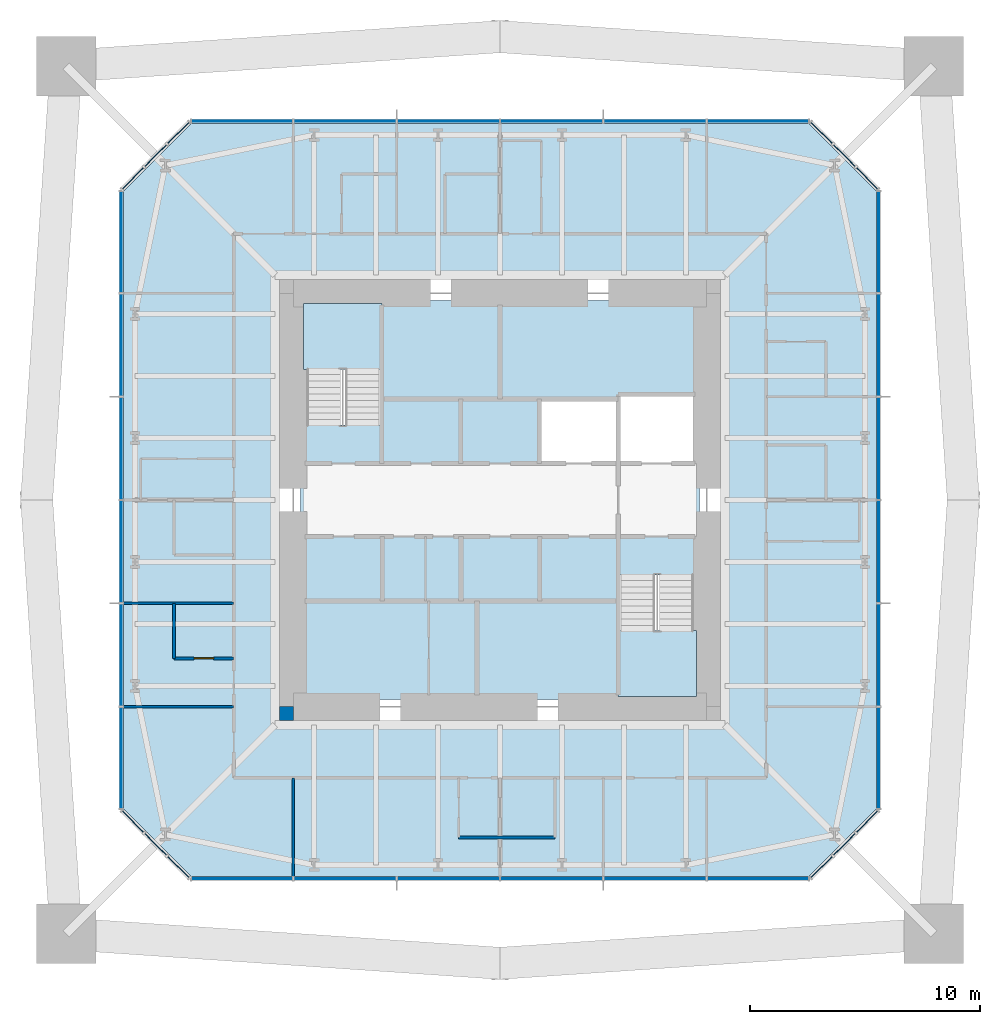
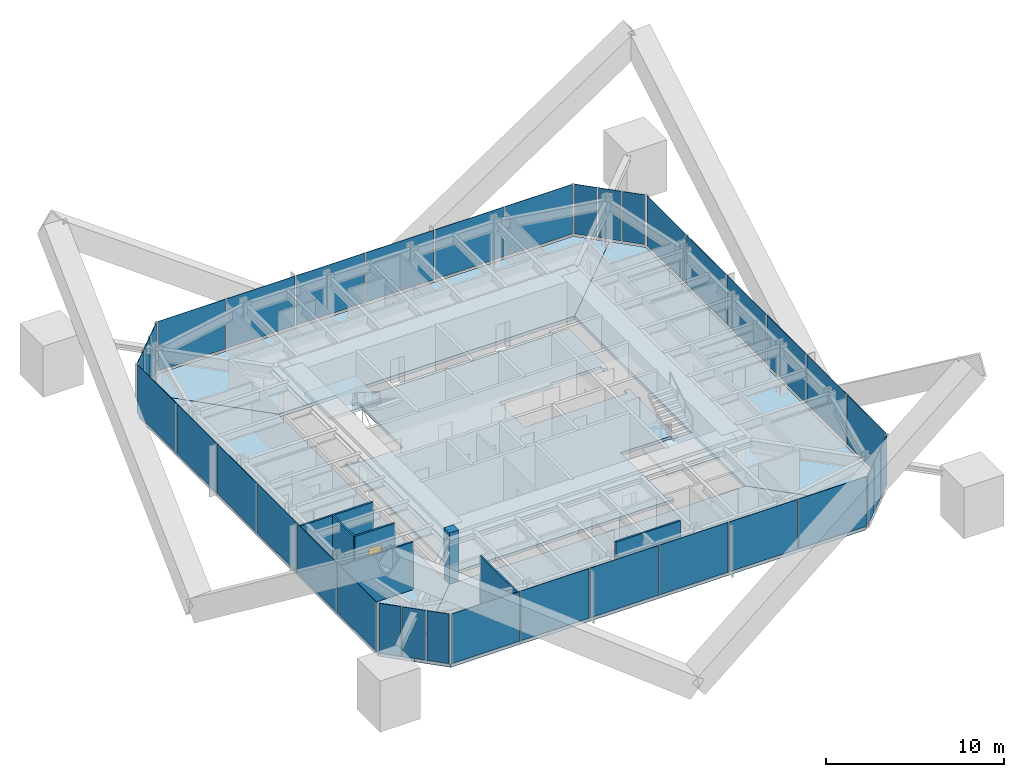
# One storey, part 7 of 11: 36 plates, 7 slabs, 7 walls, 1 door, 1 opening, 10 elements without a shape of their own.
"""IFC4 building model written with IfcOpenShell, lengths in metres."""

from ifc_helpers import new_model, si_unit, direction, frame, frame_2d, origin, origin_2d, place, context, subcontext, project, spatial, polyline, rectangle, outline, extrude, material, layer, layer_set, constituent, constituent_set, type_object, element, fill, aggregate, save


model = new_model("IFC4")

# Units and contexts
model_context = context("Model", 3, precision=1e-05, world=origin(), true_north=direction((0.0, 1.0)))
body_context = subcontext(model_context, "Body", "Model", "MODEL_VIEW")
ifc_project = project(units=[si_unit("LENGTHUNIT", "METRE"), si_unit("AREAUNIT", "SQUARE_METRE"), si_unit("VOLUMEUNIT", "CUBIC_METRE"), si_unit("PLANEANGLEUNIT", "RADIAN"), si_unit("MASSUNIT", "GRAM", prefix="KILO")], contexts=[model_context])

# Site, building, storey
site_placement = place(None, origin())
site = spatial("IfcSite", under=ifc_project, at=site_placement, CompositionType="ELEMENT")
building_placement = place(site_placement, origin())
building = spatial("IfcBuilding", under=site, at=building_placement, Name="Iwan Alto Co-Living Towers", CompositionType="ELEMENT")
storey_placement = place(building_placement, frame((0.0, 0.0, 229.0)))
storey = spatial("IfcBuildingStorey", under=building, at=storey_placement, Name="L62", CompositionType="ELEMENT", Elevation=229.0)

# Slab
ifc_material_1 = material(Name="Concrete f'c 30 MPa", Category="concrete")
ifc_layer_1 = layer(ifc_material_1, 0.199951171875)
ifc_layer_set_1 = layer_set([ifc_layer_1], Name="CORE FLOOR SLAB 200")
slab_type_1 = type_object("IfcSlabType", Name="CORE FLOOR SLAB 200", PredefinedType="FLOOR", material=ifc_layer_set_1)
slab_1_placement = place(storey_placement, frame((0.0, 0.0, -0.199951171875)))
element("IfcSlab", 1, at=slab_1_placement, inside=storey, type_object=slab_type_1, Name="T1 core floor L62", PredefinedType="FLOOR", context=body_context, shape_type="SweptSolid", body=[
    extrude(outline(polyline([(-8.699951171875, 3.580078125), (-8.39990234375, 3.580078125), (-8.39990234375, 3.27001953125), (-5.14990234375, 3.27001953125), (-5.14990234375, 8.39990234375), (-5.4599609375, 8.39990234375), (-5.4599609375, 8.699951171875), (8.699951171875, 8.699951171875), (8.699951171875, 4.2900390625), (8.39990234375, 4.2900390625), (8.39990234375, 4.60009765625), (5.14990234375, 4.60009765625), (5.14990234375, 4.39990234375), (1.717041015625, 4.39990234375), (1.717041015625, 1.60009765625), (5.14990234375, 1.60009765625), (8.39990234375, 1.60009765625), (8.39990234375, 1.909912109375), (8.699951171875, 1.909912109375), (8.699951171875, -3.580078125), (8.39990234375, -3.580078125), (8.39990234375, -3.27001953125), (5.14990234375, -3.27001953125), (5.14990234375, -8.39990234375), (5.4599609375, -8.39990234375), (5.4599609375, -8.699951171875), (-8.699951171875, -8.699951171875), (-8.699951171875, 3.580078125)])), origin(), (0.0, 0.0, 1.0), 0.199951171875),
])

# Curtain wall, plates
ifc_material_2 = material(Name="Bronze aluminium unitised frame", Category="aluminium")
curtain_wall_type_1 = type_object("IfcCurtainWallType", Name="CURTAIN WALL CW-A", PredefinedType="NOTDEFINED", material=ifc_material_2)
curtain_wall_1_placement = place(storey_placement, origin())
curtain_wall_1 = element("IfcCurtainWall", 2, at=curtain_wall_1_placement, inside=storey, type_object=curtain_wall_type_1, Name="T1 curtain wall S L62", PredefinedType="NOTDEFINED")
ifc_material_3 = material(Name="Bronze-tinted insulating glass", Category="glass")
ifc_layer_2 = layer(ifc_material_3, 0.031982421875)
ifc_layer_set_2 = layer_set([ifc_layer_2], Name="CW-A PANEL TINTED IGU 32")
plate_type_1 = type_object("IfcPlateType", Name="CW-A PANEL TINTED IGU 32", PredefinedType="CURTAIN_PANEL", material=ifc_layer_set_2)
plate_1_placement = place(storey_placement, frame((-11.22998046875, -16.5, 0.10009765625), z_axis=(0.0, 0.0, 1.0), x_axis=(1.0, 0.0, 0.0)))
plate_1 = element("IfcPlate", 3, at=plate_1_placement, type_object=plate_type_1, Name="CW-A panel 1.1", PredefinedType="CURTAIN_PANEL", context=body_context, shape_type="SweptSolid", body=[
    extrude(rectangle(XDim=4.3798828125, YDim=0.031982421875, at=origin_2d()), origin(), (0.0, 0.0, 1.0), 3.39990234375),
])
plate_2_placement = place(storey_placement, frame((-6.75, -16.5, 0.10009765625), z_axis=(0.0, 0.0, 1.0), x_axis=(1.0, 0.0, 0.0)))
plate_2 = element("IfcPlate", 4, at=plate_2_placement, type_object=plate_type_1, Name="CW-A panel 2.1", PredefinedType="CURTAIN_PANEL", context=body_context, shape_type="SweptSolid", body=[
    extrude(rectangle(XDim=4.419921875, YDim=0.031982421875, at=origin_2d()), origin(), (0.0, 0.0, 1.0), 3.39990234375),
])
plate_3_placement = place(storey_placement, frame((-2.25, -16.5, 0.10009765625), z_axis=(0.0, 0.0, 1.0), x_axis=(1.0, 0.0, 0.0)))
plate_3 = element("IfcPlate", 5, at=plate_3_placement, type_object=plate_type_1, Name="CW-A panel 3.1", PredefinedType="CURTAIN_PANEL", context=body_context, shape_type="SweptSolid", body=[
    extrude(rectangle(XDim=4.419921875, YDim=0.031982421875, at=origin_2d()), origin(), (0.0, 0.0, 1.0), 3.39990234375),
])
plate_4_placement = place(storey_placement, frame((2.25, -16.5, 0.10009765625), z_axis=(0.0, 0.0, 1.0), x_axis=(1.0, 0.0, 0.0)))
plate_4 = element("IfcPlate", 6, at=plate_4_placement, type_object=plate_type_1, Name="CW-A panel 4.1", PredefinedType="CURTAIN_PANEL", context=body_context, shape_type="SweptSolid", body=[
    extrude(rectangle(XDim=4.419921875, YDim=0.031982421875, at=origin_2d()), origin(), (0.0, 0.0, 1.0), 3.39990234375),
])
plate_5_placement = place(storey_placement, frame((6.75, -16.5, 0.10009765625), z_axis=(0.0, 0.0, 1.0), x_axis=(1.0, 0.0, 0.0)))
plate_5 = element("IfcPlate", 7, at=plate_5_placement, type_object=plate_type_1, Name="CW-A panel 5.1", PredefinedType="CURTAIN_PANEL", context=body_context, shape_type="SweptSolid", body=[
    extrude(rectangle(XDim=4.419921875, YDim=0.031982421875, at=origin_2d()), origin(), (0.0, 0.0, 1.0), 3.39990234375),
])
plate_6_placement = place(storey_placement, frame((11.22998046875, -16.5, 0.10009765625), z_axis=(0.0, 0.0, 1.0), x_axis=(1.0, 0.0, 0.0)))
plate_6 = element("IfcPlate", 8, at=plate_6_placement, type_object=plate_type_1, Name="CW-A panel 6.1", PredefinedType="CURTAIN_PANEL", context=body_context, shape_type="SweptSolid", body=[
    extrude(rectangle(XDim=4.3798828125, YDim=0.031982421875, at=origin_2d()), origin(), (0.0, 0.0, 1.0), 3.39990234375),
])
aggregate(curtain_wall_1, [plate_1, plate_2, plate_3, plate_4, plate_5, plate_6])

curtain_wall_2_placement = place(storey_placement, origin())
curtain_wall_2 = element("IfcCurtainWall", 9, at=curtain_wall_2_placement, inside=storey, type_object=curtain_wall_type_1, Name="T1 curtain wall E L62", PredefinedType="NOTDEFINED")
plate_7_placement = place(storey_placement, frame((16.5, -11.22998046875, 0.10009765625), z_axis=(0.0, 0.0, 1.0), x_axis=(0.0, 1.0, 0.0)))
plate_7 = element("IfcPlate", 10, at=plate_7_placement, type_object=plate_type_1, Name="CW-A panel 1.1", PredefinedType="CURTAIN_PANEL", context=body_context, shape_type="SweptSolid", body=[
    extrude(rectangle(XDim=4.3798828125, YDim=0.031982421875, at=origin_2d()), origin(), (0.0, 0.0, 1.0), 3.39990234375),
])
plate_8_placement = place(storey_placement, frame((16.5, -6.75, 0.10009765625), z_axis=(0.0, 0.0, 1.0), x_axis=(0.0, 1.0, 0.0)))
plate_8 = element("IfcPlate", 11, at=plate_8_placement, type_object=plate_type_1, Name="CW-A panel 2.1", PredefinedType="CURTAIN_PANEL", context=body_context, shape_type="SweptSolid", body=[
    extrude(rectangle(XDim=4.419921875, YDim=0.031982421875, at=origin_2d()), origin(), (0.0, 0.0, 1.0), 3.39990234375),
])
plate_9_placement = place(storey_placement, frame((16.5, -2.25, 0.10009765625), z_axis=(0.0, 0.0, 1.0), x_axis=(0.0, 1.0, 0.0)))
plate_9 = element("IfcPlate", 12, at=plate_9_placement, type_object=plate_type_1, Name="CW-A panel 3.1", PredefinedType="CURTAIN_PANEL", context=body_context, shape_type="SweptSolid", body=[
    extrude(rectangle(XDim=4.419921875, YDim=0.031982421875, at=origin_2d()), origin(), (0.0, 0.0, 1.0), 3.39990234375),
])
plate_10_placement = place(storey_placement, frame((16.5, 2.25, 0.10009765625), z_axis=(0.0, 0.0, 1.0), x_axis=(0.0, 1.0, 0.0)))
plate_10 = element("IfcPlate", 13, at=plate_10_placement, type_object=plate_type_1, Name="CW-A panel 4.1", PredefinedType="CURTAIN_PANEL", context=body_context, shape_type="SweptSolid", body=[
    extrude(rectangle(XDim=4.419921875, YDim=0.031982421875, at=origin_2d()), origin(), (0.0, 0.0, 1.0), 3.39990234375),
])
plate_11_placement = place(storey_placement, frame((16.5, 6.75, 0.10009765625), z_axis=(0.0, 0.0, 1.0), x_axis=(0.0, 1.0, 0.0)))
plate_11 = element("IfcPlate", 14, at=plate_11_placement, type_object=plate_type_1, Name="CW-A panel 5.1", PredefinedType="CURTAIN_PANEL", context=body_context, shape_type="SweptSolid", body=[
    extrude(rectangle(XDim=4.419921875, YDim=0.031982421875, at=origin_2d()), origin(), (0.0, 0.0, 1.0), 3.39990234375),
])
plate_12_placement = place(storey_placement, frame((16.5, 11.22998046875, 0.10009765625), z_axis=(0.0, 0.0, 1.0), x_axis=(0.0, 1.0, 0.0)))
plate_12 = element("IfcPlate", 15, at=plate_12_placement, type_object=plate_type_1, Name="CW-A panel 6.1", PredefinedType="CURTAIN_PANEL", context=body_context, shape_type="SweptSolid", body=[
    extrude(rectangle(XDim=4.3798828125, YDim=0.031982421875, at=origin_2d()), origin(), (0.0, 0.0, 1.0), 3.39990234375),
])
aggregate(curtain_wall_2, [plate_7, plate_8, plate_9, plate_10, plate_11, plate_12])

curtain_wall_3_placement = place(storey_placement, origin())
curtain_wall_3 = element("IfcCurtainWall", 16, at=curtain_wall_3_placement, inside=storey, type_object=curtain_wall_type_1, Name="T1 curtain wall N L62", PredefinedType="NOTDEFINED")
plate_13_placement = place(storey_placement, frame((11.22998046875, 16.5, 0.10009765625), z_axis=(0.0, 0.0, 1.0), x_axis=(-1.0, 0.0, 0.0)))
plate_13 = element("IfcPlate", 17, at=plate_13_placement, type_object=plate_type_1, Name="CW-A panel 1.1", PredefinedType="CURTAIN_PANEL", context=body_context, shape_type="SweptSolid", body=[
    extrude(rectangle(XDim=4.3798828125, YDim=0.031982421875, at=origin_2d()), origin(), (0.0, 0.0, 1.0), 3.39990234375),
])
plate_14_placement = place(storey_placement, frame((6.75, 16.5, 0.10009765625), z_axis=(0.0, 0.0, 1.0), x_axis=(-1.0, 0.0, 0.0)))
plate_14 = element("IfcPlate", 18, at=plate_14_placement, type_object=plate_type_1, Name="CW-A panel 2.1", PredefinedType="CURTAIN_PANEL", context=body_context, shape_type="SweptSolid", body=[
    extrude(rectangle(XDim=4.419921875, YDim=0.031982421875, at=origin_2d()), origin(), (0.0, 0.0, 1.0), 3.39990234375),
])
plate_15_placement = place(storey_placement, frame((2.25, 16.5, 0.10009765625), z_axis=(0.0, 0.0, 1.0), x_axis=(-1.0, 0.0, 0.0)))
plate_15 = element("IfcPlate", 19, at=plate_15_placement, type_object=plate_type_1, Name="CW-A panel 3.1", PredefinedType="CURTAIN_PANEL", context=body_context, shape_type="SweptSolid", body=[
    extrude(rectangle(XDim=4.419921875, YDim=0.031982421875, at=origin_2d()), origin(), (0.0, 0.0, 1.0), 3.39990234375),
])
plate_16_placement = place(storey_placement, frame((-2.25, 16.5, 0.10009765625), z_axis=(0.0, 0.0, 1.0), x_axis=(-1.0, 0.0, 0.0)))
plate_16 = element("IfcPlate", 20, at=plate_16_placement, type_object=plate_type_1, Name="CW-A panel 4.1", PredefinedType="CURTAIN_PANEL", context=body_context, shape_type="SweptSolid", body=[
    extrude(rectangle(XDim=4.419921875, YDim=0.031982421875, at=origin_2d()), origin(), (0.0, 0.0, 1.0), 3.39990234375),
])
plate_17_placement = place(storey_placement, frame((-6.75, 16.5, 0.10009765625), z_axis=(0.0, 0.0, 1.0), x_axis=(-1.0, 0.0, 0.0)))
plate_17 = element("IfcPlate", 21, at=plate_17_placement, type_object=plate_type_1, Name="CW-A panel 5.1", PredefinedType="CURTAIN_PANEL", context=body_context, shape_type="SweptSolid", body=[
    extrude(rectangle(XDim=4.419921875, YDim=0.031982421875, at=origin_2d()), origin(), (0.0, 0.0, 1.0), 3.39990234375),
])
plate_18_placement = place(storey_placement, frame((-11.22998046875, 16.5, 0.10009765625), z_axis=(0.0, 0.0, 1.0), x_axis=(-1.0, 0.0, 0.0)))
plate_18 = element("IfcPlate", 22, at=plate_18_placement, type_object=plate_type_1, Name="CW-A panel 6.1", PredefinedType="CURTAIN_PANEL", context=body_context, shape_type="SweptSolid", body=[
    extrude(rectangle(XDim=4.3798828125, YDim=0.031982421875, at=origin_2d()), origin(), (0.0, 0.0, 1.0), 3.39990234375),
])
aggregate(curtain_wall_3, [plate_13, plate_14, plate_15, plate_16, plate_17, plate_18])

curtain_wall_4_placement = place(storey_placement, origin())
curtain_wall_4 = element("IfcCurtainWall", 23, at=curtain_wall_4_placement, inside=storey, type_object=curtain_wall_type_1, Name="T1 curtain wall W L62", PredefinedType="NOTDEFINED")
plate_19_placement = place(storey_placement, frame((-16.5, 11.22998046875, 0.10009765625), z_axis=(0.0, 0.0, 1.0), x_axis=(0.0, -1.0, 0.0)))
plate_19 = element("IfcPlate", 24, at=plate_19_placement, type_object=plate_type_1, Name="CW-A panel 1.1", PredefinedType="CURTAIN_PANEL", context=body_context, shape_type="SweptSolid", body=[
    extrude(rectangle(XDim=4.3798828125, YDim=0.031982421875, at=origin_2d()), origin(), (0.0, 0.0, 1.0), 3.39990234375),
])
plate_20_placement = place(storey_placement, frame((-16.5, 6.75, 0.10009765625), z_axis=(0.0, 0.0, 1.0), x_axis=(0.0, -1.0, 0.0)))
plate_20 = element("IfcPlate", 25, at=plate_20_placement, type_object=plate_type_1, Name="CW-A panel 2.1", PredefinedType="CURTAIN_PANEL", context=body_context, shape_type="SweptSolid", body=[
    extrude(rectangle(XDim=4.419921875, YDim=0.031982421875, at=origin_2d()), origin(), (0.0, 0.0, 1.0), 3.39990234375),
])
plate_21_placement = place(storey_placement, frame((-16.5, 2.25, 0.10009765625), z_axis=(0.0, 0.0, 1.0), x_axis=(0.0, -1.0, 0.0)))
plate_21 = element("IfcPlate", 26, at=plate_21_placement, type_object=plate_type_1, Name="CW-A panel 3.1", PredefinedType="CURTAIN_PANEL", context=body_context, shape_type="SweptSolid", body=[
    extrude(rectangle(XDim=4.419921875, YDim=0.031982421875, at=origin_2d()), origin(), (0.0, 0.0, 1.0), 3.39990234375),
])
plate_22_placement = place(storey_placement, frame((-16.5, -2.25, 0.10009765625), z_axis=(0.0, 0.0, 1.0), x_axis=(0.0, -1.0, 0.0)))
plate_22 = element("IfcPlate", 27, at=plate_22_placement, type_object=plate_type_1, Name="CW-A panel 4.1", PredefinedType="CURTAIN_PANEL", context=body_context, shape_type="SweptSolid", body=[
    extrude(rectangle(XDim=4.419921875, YDim=0.031982421875, at=origin_2d()), origin(), (0.0, 0.0, 1.0), 3.39990234375),
])
plate_23_placement = place(storey_placement, frame((-16.5, -6.75, 0.10009765625), z_axis=(0.0, 0.0, 1.0), x_axis=(0.0, -1.0, 0.0)))
plate_23 = element("IfcPlate", 28, at=plate_23_placement, type_object=plate_type_1, Name="CW-A panel 5.1", PredefinedType="CURTAIN_PANEL", context=body_context, shape_type="SweptSolid", body=[
    extrude(rectangle(XDim=4.419921875, YDim=0.031982421875, at=origin_2d()), origin(), (0.0, 0.0, 1.0), 3.39990234375),
])
plate_24_placement = place(storey_placement, frame((-16.5, -11.22998046875, 0.10009765625), z_axis=(0.0, 0.0, 1.0), x_axis=(0.0, -1.0, 0.0)))
plate_24 = element("IfcPlate", 29, at=plate_24_placement, type_object=plate_type_1, Name="CW-A panel 6.1", PredefinedType="CURTAIN_PANEL", context=body_context, shape_type="SweptSolid", body=[
    extrude(rectangle(XDim=4.3798828125, YDim=0.031982421875, at=origin_2d()), origin(), (0.0, 0.0, 1.0), 3.39990234375),
])
aggregate(curtain_wall_4, [plate_19, plate_20, plate_21, plate_22, plate_23, plate_24])

ifc_material_4 = material(Name="Bronze aluminium unitised frame", Category="aluminium")
curtain_wall_type_2 = type_object("IfcCurtainWallType", Name="CURTAIN WALL CW-B", PredefinedType="NOTDEFINED", material=ifc_material_4)
curtain_wall_5_placement = place(storey_placement, origin())
curtain_wall_5 = element("IfcCurtainWall", 30, at=curtain_wall_5_placement, inside=storey, type_object=curtain_wall_type_2, Name="T1 chamfer curtain wall SE L62", PredefinedType="NOTDEFINED")
ifc_material_5 = material(Name="Bronze-tinted insulating glass", Category="glass")
ifc_layer_3 = layer(ifc_material_5, 0.031982421875)
ifc_layer_set_3 = layer_set([ifc_layer_3], Name="CW-B PANEL TINTED IGU 32")
plate_type_2 = type_object("IfcPlateType", Name="CW-B PANEL TINTED IGU 32", PredefinedType="CURTAIN_PANEL", material=ifc_layer_set_3)
plate_25_placement = place(storey_placement, frame((14.01416015625, -15.98583984375, 0.10009765625), z_axis=(0.0, 0.0, 1.0), x_axis=(0.707106781187, 0.707106781187, 0.0)))
plate_25 = element("IfcPlate", 31, at=plate_25_placement, type_object=plate_type_2, Name="CW-B panel 1.1", PredefinedType="CURTAIN_PANEL", context=body_context, shape_type="SweptSolid", body=[
    extrude(rectangle(XDim=1.294189453125, YDim=0.031982421875, at=origin_2d()), origin(), (0.0, 0.0, 1.0), 3.39990234375),
])
plate_26_placement = place(storey_placement, frame((15.0, -15.0, 0.10009765625), z_axis=(0.0, 0.0, 1.0), x_axis=(0.707106781187, 0.707106781187, 0.0)))
plate_26 = element("IfcPlate", 32, at=plate_26_placement, type_object=plate_type_2, Name="CW-B panel 2.1", PredefinedType="CURTAIN_PANEL", context=body_context, shape_type="SweptSolid", body=[
    extrude(rectangle(XDim=1.334228515625, YDim=0.031982421875, at=origin_2d()), origin(), (0.0, 0.0, 1.0), 3.39990234375),
])
plate_27_placement = place(storey_placement, frame((15.98583984375, -14.01416015625, 0.10009765625), z_axis=(0.0, 0.0, 1.0), x_axis=(0.707106781187, 0.707106781187, 0.0)))
plate_27 = element("IfcPlate", 33, at=plate_27_placement, type_object=plate_type_2, Name="CW-B panel 3.1", PredefinedType="CURTAIN_PANEL", context=body_context, shape_type="SweptSolid", body=[
    extrude(rectangle(XDim=1.294189453125, YDim=0.031982421875, at=origin_2d()), origin(), (0.0, 0.0, 1.0), 3.39990234375),
])
aggregate(curtain_wall_5, [plate_25, plate_26, plate_27])

curtain_wall_6_placement = place(storey_placement, origin())
curtain_wall_6 = element("IfcCurtainWall", 34, at=curtain_wall_6_placement, inside=storey, type_object=curtain_wall_type_2, Name="T1 chamfer curtain wall NE L62", PredefinedType="NOTDEFINED")
plate_28_placement = place(storey_placement, frame((15.98583984375, 14.01416015625, 0.10009765625), z_axis=(0.0, 0.0, 1.0), x_axis=(-0.707106781187, 0.707106781187, 0.0)))
plate_28 = element("IfcPlate", 35, at=plate_28_placement, type_object=plate_type_2, Name="CW-B panel 1.1", PredefinedType="CURTAIN_PANEL", context=body_context, shape_type="SweptSolid", body=[
    extrude(rectangle(XDim=1.294189453125, YDim=0.031982421875, at=origin_2d()), origin(), (0.0, 0.0, 1.0), 3.39990234375),
])
plate_29_placement = place(storey_placement, frame((15.0, 15.0, 0.10009765625), z_axis=(0.0, 0.0, 1.0), x_axis=(-0.707106781187, 0.707106781187, 0.0)))
plate_29 = element("IfcPlate", 36, at=plate_29_placement, type_object=plate_type_2, Name="CW-B panel 2.1", PredefinedType="CURTAIN_PANEL", context=body_context, shape_type="SweptSolid", body=[
    extrude(rectangle(XDim=1.334228515625, YDim=0.031982421875, at=origin_2d()), origin(), (0.0, 0.0, 1.0), 3.39990234375),
])
plate_30_placement = place(storey_placement, frame((14.01416015625, 15.98583984375, 0.10009765625), z_axis=(0.0, 0.0, 1.0), x_axis=(-0.707106781187, 0.707106781187, 0.0)))
plate_30 = element("IfcPlate", 37, at=plate_30_placement, type_object=plate_type_2, Name="CW-B panel 3.1", PredefinedType="CURTAIN_PANEL", context=body_context, shape_type="SweptSolid", body=[
    extrude(rectangle(XDim=1.294189453125, YDim=0.031982421875, at=origin_2d()), origin(), (0.0, 0.0, 1.0), 3.39990234375),
])
aggregate(curtain_wall_6, [plate_28, plate_29, plate_30])

curtain_wall_7_placement = place(storey_placement, origin())
curtain_wall_7 = element("IfcCurtainWall", 38, at=curtain_wall_7_placement, inside=storey, type_object=curtain_wall_type_2, Name="T1 chamfer curtain wall NW L62", PredefinedType="NOTDEFINED")
plate_31_placement = place(storey_placement, frame((-14.01416015625, 15.98583984375, 0.10009765625), z_axis=(0.0, 0.0, 1.0), x_axis=(-0.707106781187, -0.707106781187, 0.0)))
plate_31 = element("IfcPlate", 39, at=plate_31_placement, type_object=plate_type_2, Name="CW-B panel 1.1", PredefinedType="CURTAIN_PANEL", context=body_context, shape_type="SweptSolid", body=[
    extrude(rectangle(XDim=1.294189453125, YDim=0.031982421875, at=origin_2d()), origin(), (0.0, 0.0, 1.0), 3.39990234375),
])
plate_32_placement = place(storey_placement, frame((-15.0, 15.0, 0.10009765625), z_axis=(0.0, 0.0, 1.0), x_axis=(-0.707106781187, -0.707106781187, 0.0)))
plate_32 = element("IfcPlate", 40, at=plate_32_placement, type_object=plate_type_2, Name="CW-B panel 2.1", PredefinedType="CURTAIN_PANEL", context=body_context, shape_type="SweptSolid", body=[
    extrude(rectangle(XDim=1.334228515625, YDim=0.031982421875, at=origin_2d()), origin(), (0.0, 0.0, 1.0), 3.39990234375),
])
plate_33_placement = place(storey_placement, frame((-15.98583984375, 14.01416015625, 0.10009765625), z_axis=(0.0, 0.0, 1.0), x_axis=(-0.707106781187, -0.707106781187, 0.0)))
plate_33 = element("IfcPlate", 41, at=plate_33_placement, type_object=plate_type_2, Name="CW-B panel 3.1", PredefinedType="CURTAIN_PANEL", context=body_context, shape_type="SweptSolid", body=[
    extrude(rectangle(XDim=1.294189453125, YDim=0.031982421875, at=origin_2d()), origin(), (0.0, 0.0, 1.0), 3.39990234375),
])
aggregate(curtain_wall_7, [plate_31, plate_32, plate_33])

curtain_wall_8_placement = place(storey_placement, origin())
curtain_wall_8 = element("IfcCurtainWall", 42, at=curtain_wall_8_placement, inside=storey, type_object=curtain_wall_type_2, Name="T1 chamfer curtain wall SW L62", PredefinedType="NOTDEFINED")
plate_34_placement = place(storey_placement, frame((-15.98583984375, -14.01416015625, 0.10009765625), z_axis=(0.0, 0.0, 1.0), x_axis=(0.707106781187, -0.707106781187, 0.0)))
plate_34 = element("IfcPlate", 43, at=plate_34_placement, type_object=plate_type_2, Name="CW-B panel 1.1", PredefinedType="CURTAIN_PANEL", context=body_context, shape_type="SweptSolid", body=[
    extrude(rectangle(XDim=1.294189453125, YDim=0.031982421875, at=origin_2d()), origin(), (0.0, 0.0, 1.0), 3.39990234375),
])
plate_35_placement = place(storey_placement, frame((-15.0, -15.0, 0.10009765625), z_axis=(0.0, 0.0, 1.0), x_axis=(0.707106781187, -0.707106781187, 0.0)))
plate_35 = element("IfcPlate", 44, at=plate_35_placement, type_object=plate_type_2, Name="CW-B panel 2.1", PredefinedType="CURTAIN_PANEL", context=body_context, shape_type="SweptSolid", body=[
    extrude(rectangle(XDim=1.334228515625, YDim=0.031982421875, at=origin_2d()), origin(), (0.0, 0.0, 1.0), 3.39990234375),
])
plate_36_placement = place(storey_placement, frame((-14.01416015625, -15.98583984375, 0.10009765625), z_axis=(0.0, 0.0, 1.0), x_axis=(0.707106781187, -0.707106781187, 0.0)))
plate_36 = element("IfcPlate", 45, at=plate_36_placement, type_object=plate_type_2, Name="CW-B panel 3.1", PredefinedType="CURTAIN_PANEL", context=body_context, shape_type="SweptSolid", body=[
    extrude(rectangle(XDim=1.294189453125, YDim=0.031982421875, at=origin_2d()), origin(), (0.0, 0.0, 1.0), 3.39990234375),
])
aggregate(curtain_wall_8, [plate_34, plate_35, plate_36])

# Stair, slab
ifc_material_6 = material(Name="Steel ASTM A36", Category="steel")
ifc_constituent_1 = constituent(ifc_material_6, Name="Stringers", Category="LoadBearing")
ifc_material_7 = material(Name="Concrete f'c 30 MPa", Category="concrete")
ifc_constituent_2 = constituent(ifc_material_7, Name="Tread fill", Category="Finish")
ifc_constituent_set = constituent_set(constituents=[ifc_constituent_1, ifc_constituent_2], Name="STAIR 3500 TWO-FLIGHT T1 CORE")
stair_type = type_object("IfcStairType", Name="STAIR 3500 TWO-FLIGHT T1 CORE", PredefinedType="HALF_TURN_STAIR", material=ifc_constituent_set)
stair_1_placement = place(storey_placement, origin())
stair_1 = element("IfcStair", 46, at=stair_1_placement, inside=storey, type_object=stair_type, Name="Stair T1-S1 L62 to L63", PredefinedType="HALF_TURN_STAIR")
ifc_material_8 = material(Name="Concrete f'c 30 MPa", Category="concrete")
ifc_layer_4 = layer(ifc_material_8, 0.199951171875)
ifc_layer_set_4 = layer_set([ifc_layer_4], Name="STAIR LANDING 200")
slab_type_2 = type_object("IfcSlabType", Name="STAIR LANDING 200", PredefinedType="LANDING", material=ifc_layer_set_4)
slab_2_placement = place(storey_placement, frame((0.0, 0.0, 1.550048828125)))
slab_2 = element("IfcSlab", 47, at=slab_2_placement, type_object=slab_type_2, Name="T1-S1 landing 1", PredefinedType="LANDING", context=body_context, shape_type="SweptSolid", body=[
    extrude(outline(polyline([(-8.550048828125, 5.68994140625), (-8.550048828125, 8.550048828125), (-5.14990234375, 8.550048828125), (-5.14990234375, 5.68994140625), (-8.550048828125, 5.68994140625)])), origin(), (0.0, 0.0, 1.0), 0.199951171875),
])
aggregate(stair_1, [slab_2])

stair_2_placement = place(storey_placement, origin())
stair_2 = element("IfcStair", 48, at=stair_2_placement, inside=storey, type_object=stair_type, Name="Stair T1-S2 L62 to L63", PredefinedType="HALF_TURN_STAIR")
slab_3_placement = place(storey_placement, frame((0.0, 0.0, 1.550048828125)))
slab_3 = element("IfcSlab", 49, at=slab_3_placement, type_object=slab_type_2, Name="T1-S2 landing 1", PredefinedType="LANDING", context=body_context, shape_type="SweptSolid", body=[
    extrude(outline(polyline([(5.14990234375, -5.68994140625), (5.14990234375, -8.550048828125), (8.550048828125, -8.550048828125), (8.550048828125, -5.68994140625), (5.14990234375, -5.68994140625)])), origin(), (0.0, 0.0, 1.0), 0.199951171875),
])
aggregate(stair_2, [slab_3])

# Slabs
ifc_material_9 = material(Name="Concrete f'c 30 MPa", Category="concrete")
ifc_layer_5 = layer(ifc_material_9, 0.22998046875)
ifc_layer_set_5 = layer_set([ifc_layer_5], Name="T1 FLOOR SLAB 230")
slab_type_3 = type_object("IfcSlabType", Name="T1 FLOOR SLAB 230", PredefinedType="FLOOR", material=ifc_layer_set_5)
slab_4_placement = place(storey_placement, frame((0.0, 0.0, -0.22998046875)))
element("IfcSlab", 50, at=slab_4_placement, inside=storey, type_object=slab_type_3, Name="T1 floor slab L62 S pour", PredefinedType="FLOOR", context=body_context, shape_type="SweptSolid", body=[
    extrude(outline(polyline([(13.44140625, -16.39990234375), (-13.44140625, -16.39990234375), (-14.920654296875, -14.920654296875), (-9.60009765625, -9.60009765625), (9.60009765625, -9.60009765625), (14.920654296875, -14.920654296875), (13.44140625, -16.39990234375)])), origin(), (0.0, 0.0, 1.0), 0.22998046875),
])
slab_5_placement = place(storey_placement, frame((0.0, 0.0, -0.22998046875)))
element("IfcSlab", 51, at=slab_5_placement, inside=storey, type_object=slab_type_3, Name="T1 floor slab L62 E pour", PredefinedType="FLOOR", context=body_context, shape_type="SweptSolid", body=[
    extrude(outline(polyline([(16.39990234375, 13.44140625), (16.39990234375, -13.44140625), (14.920654296875, -14.920654296875), (9.60009765625, -9.60009765625), (9.60009765625, 9.60009765625), (14.920654296875, 14.920654296875), (16.39990234375, 13.44140625)])), origin(), (0.0, 0.0, 1.0), 0.22998046875),
])
slab_6_placement = place(storey_placement, frame((0.0, 0.0, -0.22998046875)))
element("IfcSlab", 52, at=slab_6_placement, inside=storey, type_object=slab_type_3, Name="T1 floor slab L62 N pour", PredefinedType="FLOOR", context=body_context, shape_type="SweptSolid", body=[
    extrude(outline(polyline([(-13.44140625, 16.39990234375), (13.44140625, 16.39990234375), (14.920654296875, 14.920654296875), (9.60009765625, 9.60009765625), (-9.60009765625, 9.60009765625), (-14.920654296875, 14.920654296875), (-13.44140625, 16.39990234375)])), origin(), (0.0, 0.0, 1.0), 0.22998046875),
])
slab_7_placement = place(storey_placement, frame((0.0, 0.0, -0.22998046875)))
element("IfcSlab", 53, at=slab_7_placement, inside=storey, type_object=slab_type_3, Name="T1 floor slab L62 W pour", PredefinedType="FLOOR", context=body_context, shape_type="SweptSolid", body=[
    extrude(outline(polyline([(-16.39990234375, 13.44140625), (-14.920654296875, 14.920654296875), (-9.60009765625, 9.60009765625), (-9.60009765625, -9.60009765625), (-14.920654296875, -14.920654296875), (-16.39990234375, -13.44140625), (-16.39990234375, 13.44140625)])), origin(), (0.0, 0.0, 1.0), 0.22998046875),
])

# Walls
ifc_material_10 = material(Name="Gypsum board")
ifc_layer_6 = layer(ifc_material_10, 0.012451171875, Name="Board", Category="Finish")
ifc_material_11 = material(Name="Steel ASTM A1003 ST33H cold-formed studs", Category="steel")
ifc_layer_7 = layer(ifc_material_11, 0.074951171875, Name="Studs", Category="Framing")
ifc_layer_8 = layer(ifc_material_10, 0.012451171875, Name="Board", Category="Finish")
ifc_layer_set_6 = layer_set([ifc_layer_6, ifc_layer_7, ifc_layer_8], Name="PARTITION 100")
wall_type_1 = type_object("IfcWallType", Name="PARTITION 100", PredefinedType="PARTITIONING", material=ifc_layer_set_6)
wall_1_placement = place(storey_placement, frame((-16.43994140625, -9.0, 0.0), z_axis=(0.0, 0.0, 1.0), x_axis=(1.0, 0.0, 0.0)))
element("IfcWall", 54, at=wall_1_placement, inside=storey, type_object=wall_type_1, Name="Partition L62", PredefinedType="PARTITIONING", context=body_context, shape_type="SweptSolid", body=[
    extrude(rectangle(XDim=4.83984375, YDim=0.10009765625, at=frame_2d((2.419921875, 0.0))), origin(), (0.0, 0.0, 1.0), 3.27001953125),
])
wall_2_placement = place(storey_placement, frame((-9.0, -16.43994140625, 0.0), z_axis=(0.0, 0.0, 1.0), x_axis=(0.0, 1.0, 0.0)))
element("IfcWall", 55, at=wall_2_placement, inside=storey, type_object=wall_type_1, Name="Partition L62", PredefinedType="PARTITIONING", context=body_context, shape_type="SweptSolid", body=[
    extrude(rectangle(XDim=4.33984375, YDim=0.10009765625, at=frame_2d((2.169921875, 0.0))), origin(), (0.0, 0.0, 1.0), 3.27001953125),
])
ifc_material_12 = material(Name="Concrete f'c 70 MPa", Category="concrete")
ifc_layer_9 = layer(ifc_material_12, 0.60009765625)
ifc_layer_set_7 = layer_set([ifc_layer_9], Name="T1 CORE CORNER FILL 600")
wall_type_2 = type_object("IfcWallType", Name="T1 CORE CORNER FILL 600", PredefinedType="SOLIDWALL", material=ifc_layer_set_7)
wall_3_placement = place(storey_placement, frame((-9.60009765625, -9.300048828125, 0.0), z_axis=(0.0, 0.0, 1.0), x_axis=(1.0, 0.0, 0.0)))
element("IfcWall", 56, at=wall_3_placement, inside=storey, type_object=wall_type_2, Name="T1 core corner SW L62", PredefinedType="SOLIDWALL", context=body_context, shape_type="SweptSolid", body=[
    extrude(rectangle(XDim=0.60009765625, YDim=0.60009765625, at=frame_2d((0.300048828125, 0.0))), origin(), (0.0, 0.0, 1.0), 3.5),
])
ifc_material_13 = material(Name="Cement board")
ifc_layer_10 = layer(ifc_material_13, 0.012451171875, Name="Board", Category="Finish")
ifc_layer_11 = layer(ifc_material_11, 0.094970703125, Name="Studs", Category="Framing")
ifc_layer_12 = layer(ifc_material_13, 0.012451171875, Name="Board", Category="Finish")
ifc_layer_set_8 = layer_set([ifc_layer_10, ifc_layer_11, ifc_layer_12], Name="WET AREA PARTITION 120")
wall_type_3 = type_object("IfcWallType", Name="WET AREA PARTITION 120", PredefinedType="PARTITIONING", material=ifc_layer_set_8)
wall_4_placement = place(storey_placement, frame((-1.800048828125, -14.699951171875, 0.0), z_axis=(0.0, 0.0, 1.0), x_axis=(1.0, 0.0, 0.0)))
element("IfcWall", 57, at=wall_4_placement, inside=storey, type_object=wall_type_3, Name="Partition L62", PredefinedType="PARTITIONING", context=body_context, shape_type="SweptSolid", body=[
    extrude(rectangle(XDim=4.199951171875, YDim=0.1201171875, at=frame_2d((2.10009765625, 0.0))), origin(), (0.0, 0.0, 1.0), 3.27001953125),
])

# Wall, opening, door
wall_5_placement = place(storey_placement, frame((-14.199951171875, -6.89990234375, 0.0), z_axis=(0.0, 0.0, 1.0), x_axis=(1.0, 0.0, 0.0)))
wall_5 = element("IfcWall", 58, at=wall_5_placement, inside=storey, type_object=wall_type_3, Name="Partition L62", PredefinedType="PARTITIONING", context=body_context, shape_type="SweptSolid", body=[
    extrude(rectangle(XDim=2.599853515625, YDim=0.1201171875, at=frame_2d((1.2998046875, 0.0))), origin(), (0.0, 0.0, 1.0), 3.27001953125),
])
opening_placement = place(wall_5_placement, frame((0.875, 0.0, 0.0)))
opening = element("IfcOpeningElement", 59, at=opening_placement, cuts=wall_5, Name="Opening D2", PredefinedType="OPENING", context=body_context, shape_type="SweptSolid", body=[
    extrude(rectangle(XDim=0.85009765625, YDim=2.10009765625, at=frame_2d((0.425048828125, 1.050048828125))), frame((0.0, 0.070068359375, 0.0), z_axis=(0.0, -1.0, 0.0), x_axis=(1.0, 0.0, 0.0)), (0.0, 0.0, 1.0), 0.14013671875),
])
ifc_material_14 = material(Name="Timber leaf in steel frame", Category="steel")
door_type = type_object("IfcDoorType", Name="ROOM DOOR 850X2100", OperationType="SINGLE_SWING_LEFT", PredefinedType="DOOR", material=ifc_material_14)
door_placement = place(opening_placement, frame((0.85009765625, 0.0, 0.0), z_axis=(0.0, 0.0, 1.0), x_axis=(-1.0, 0.0, 0.0)))
door = element("IfcDoor", 60, at=door_placement, inside=storey, type_object=door_type, Name="En-suite shower room door L62", OperationType="SINGLE_SWING_LEFT", OverallHeight=2.10009765625, OverallWidth=0.85009765625, PredefinedType="DOOR", context=body_context, shape_type="SweptSolid", body=[
    extrude(rectangle(XDim=0.85009765625, YDim=2.10009765625, at=frame_2d((0.425048828125, 1.050048828125))), frame((0.0, 0.02490234375, 0.0), z_axis=(0.0, -1.0, 0.0), x_axis=(1.0, 0.0, 0.0)), (0.0, 0.0, 1.0), 0.050048828125),
])
fill(opening, door)

# Walls
wall_6_placement = place(storey_placement, frame((-16.43994140625, -4.5, 0.0), z_axis=(0.0, 0.0, 1.0), x_axis=(1.0, 0.0, 0.0)))
element("IfcWall", 61, at=wall_6_placement, inside=storey, type_object=wall_type_3, Name="Partition L62", PredefinedType="PARTITIONING", context=body_context, shape_type="SweptSolid", body=[
    extrude(rectangle(XDim=4.83984375, YDim=0.1201171875, at=frame_2d((2.419921875, 0.0))), origin(), (0.0, 0.0, 1.0), 3.27001953125),
])
wall_7_placement = place(storey_placement, frame((-14.199951171875, -6.89990234375, 0.0), z_axis=(0.0, 0.0, 1.0), x_axis=(0.0, 1.0, 0.0)))
element("IfcWall", 62, at=wall_7_placement, inside=storey, type_object=wall_type_3, Name="Partition L62", PredefinedType="PARTITIONING", context=body_context, shape_type="SweptSolid", body=[
    extrude(rectangle(XDim=2.39990234375, YDim=0.1201171875, at=frame_2d((1.199951171875, 0.0))), origin(), (0.0, 0.0, 1.0), 3.27001953125),
])

save(model, "model.ifc")
